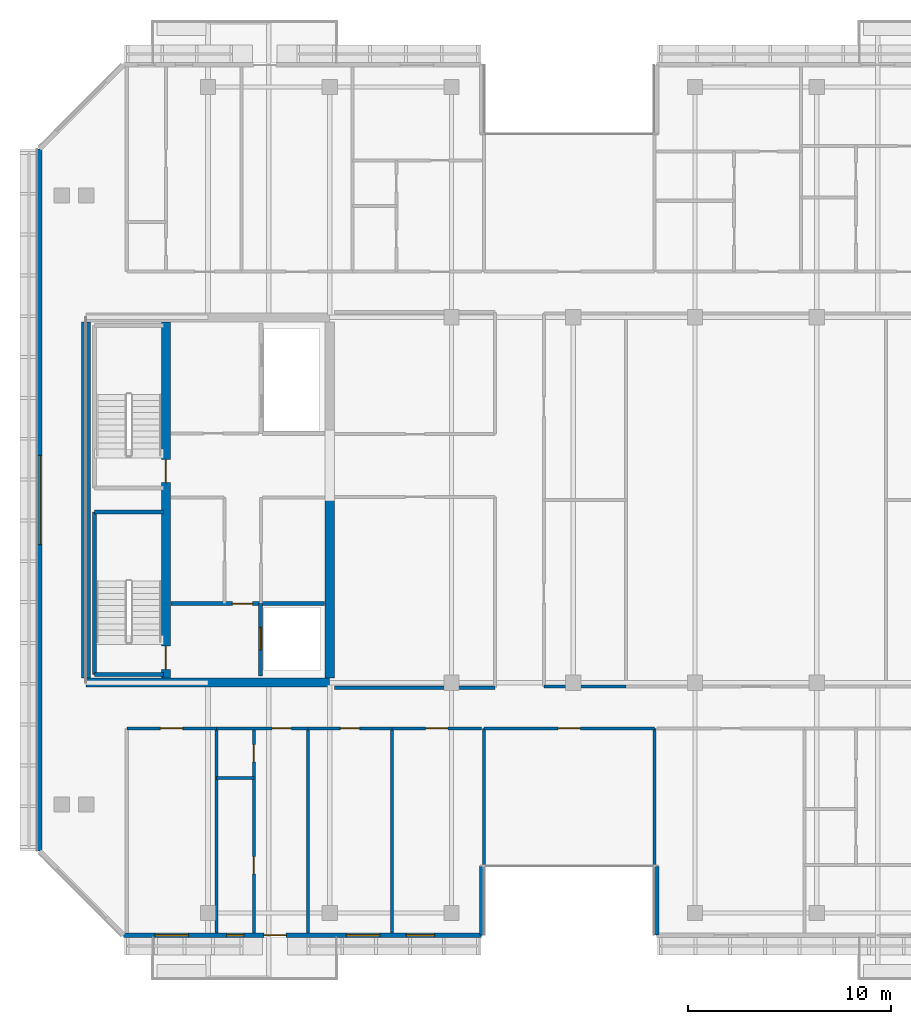
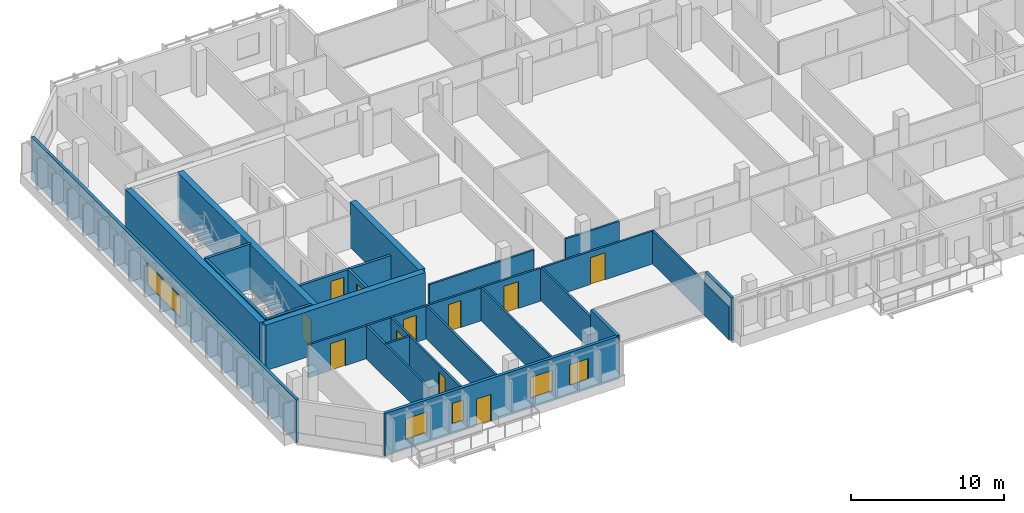
# One storey, part 6 of 17: 27 walls, 12 doors, 5 windows, 17 openings.
"""IFC4 building model written with IfcOpenShell, lengths in metres."""

from ifc_helpers import new_model, si_unit, direction, frame, frame_2d, origin, place, context, subcontext, project, spatial, rectangle, extrude, material, layer, layer_set, type_object, element, fill, save


model = new_model("IFC4")

# Units and contexts
model_context = context("Model", 3, precision=1e-05, world=origin(), true_north=direction((0.0, 1.0)))
body_context = subcontext(model_context, "Body", "Model", "MODEL_VIEW")
ifc_project = project(units=[si_unit("LENGTHUNIT", "METRE"), si_unit("AREAUNIT", "SQUARE_METRE"), si_unit("VOLUMEUNIT", "CUBIC_METRE"), si_unit("PLANEANGLEUNIT", "RADIAN"), si_unit("MASSUNIT", "GRAM", prefix="KILO")], contexts=[model_context])

# Site, building, storey
site_placement = place(None, origin())
site = spatial("IfcSite", under=ifc_project, at=site_placement, CompositionType="ELEMENT")
building_placement = place(site_placement, origin())
building = spatial("IfcBuilding", under=site, at=building_placement, Name="Tanjung Sevakor Pilgrim Tower", CompositionType="ELEMENT")
storey_placement = place(building_placement, frame((0.0, 0.0, 219.1201171875)))
storey = spatial("IfcBuildingStorey", under=building, at=storey_placement, Name="L61", CompositionType="ELEMENT", Elevation=219.1201171875)

# Walls
ifc_material_1 = material(Name="Concrete C60/75", Category="concrete")
ifc_layer_1 = layer(ifc_material_1, 0.449951171875)
ifc_layer_set_1 = layer_set([ifc_layer_1], Name="WALL-CW-450")
wall_type_1 = type_object("IfcWallType", Name="WALL-CW-450", PredefinedType="SHEAR", material=ifc_layer_set_1)
wall_1_placement = place(storey_placement, frame((24.0, 24.60009765625, 0.0), z_axis=(0.0, 0.0, 1.0), x_axis=(1.0, 0.0, 0.0)))
element("IfcWall", 1, at=wall_1_placement, inside=storey, type_object=wall_type_1, Name="L61 W Core South Shear Wall", PredefinedType="SHEAR", context=body_context, shape_type="SweptSolid", body=[
    extrude(rectangle(XDim=12.0, YDim=0.449951171875, at=frame_2d((6.0, 0.0))), origin(), (0.0, 0.0, 1.0), 3.6298828125),
])
wall_2_placement = place(storey_placement, frame((24.0, 24.824951171875, 0.0), z_axis=(0.0, 0.0, 1.0), x_axis=(0.0, 1.0, 0.0)))
element("IfcWall", 2, at=wall_2_placement, inside=storey, type_object=wall_type_1, Name="L61 W Core Outer Shear Wall", PredefinedType="SHEAR", context=body_context, shape_type="SweptSolid", body=[
    extrude(rectangle(XDim=17.550048828125, YDim=0.449951171875, at=frame_2d((8.77490234375, 0.0))), origin(), (0.0, 0.0, 1.0), 3.6298828125),
])
wall_3_placement = place(storey_placement, frame((36.0, 24.824951171875, 0.0), z_axis=(0.0, 0.0, 1.0), x_axis=(0.0, 1.0, 0.0)))
element("IfcWall", 3, at=wall_3_placement, inside=storey, type_object=wall_type_1, Name="L61 W Core Inner Shear Wall South", PredefinedType="SHEAR", context=body_context, shape_type="SweptSolid", body=[
    extrude(rectangle(XDim=8.97509765625, YDim=0.449951171875, at=frame_2d((4.487548828125, 0.0))), origin(), (0.0, 0.0, 1.0), 3.6298828125),
])

# Wall, openings, doors
wall_4_placement = place(storey_placement, frame((27.925048828125, 24.824951171875, 0.0), z_axis=(0.0, 0.0, 1.0), x_axis=(0.0, 1.0, 0.0)))
wall_4 = element("IfcWall", 4, at=wall_4_placement, inside=storey, type_object=wall_type_1, Name="L61 W Core Stair Spine Wall", PredefinedType="SHEAR", context=body_context, shape_type="SweptSolid", body=[
    extrude(rectangle(XDim=17.550048828125, YDim=0.449951171875, at=frame_2d((8.77490234375, 0.0))), origin(), (0.0, 0.0, 1.0), 3.6298828125),
])
opening_1_placement = place(wall_4_placement, frame((0.425048828125, 0.0, 0.0)))
opening_1 = element("IfcOpeningElement", 5, at=opening_1_placement, cuts=wall_4, Name="Opening ID-ST1", PredefinedType="OPENING", context=body_context, shape_type="SweptSolid", body=[
    extrude(rectangle(XDim=1.14990234375, YDim=2.14990234375, at=frame_2d((0.574951171875, 1.074951171875))), frame((0.0, 0.23486328125, 0.0), z_axis=(0.0, -1.0, 0.0), x_axis=(1.0, 0.0, 0.0)), (0.0, 0.0, 1.0), 0.469970703125),
])
opening_2_placement = place(wall_4_placement, frame((9.625, 0.0, 0.0)))
opening_2 = element("IfcOpeningElement", 6, at=opening_2_placement, cuts=wall_4, Name="Opening ID-ST1", PredefinedType="OPENING", context=body_context, shape_type="SweptSolid", body=[
    extrude(rectangle(XDim=1.14990234375, YDim=2.14990234375, at=frame_2d((0.574951171875, 1.074951171875))), frame((0.0, 0.23486328125, 0.0), z_axis=(0.0, -1.0, 0.0), x_axis=(1.0, 0.0, 0.0)), (0.0, 0.0, 1.0), 0.469970703125),
])
ifc_material_2 = material(Name="Fire-Rated Steel S355J2", Category="steel")
door_type_1 = type_object("IfcDoorType", Name="DT-FIRE-1150", OperationType="NOTDEFINED", PredefinedType="DOOR", material=ifc_material_2)
door_1_placement = place(opening_1_placement, origin())
door_1 = element("IfcDoor", 7, at=door_1_placement, inside=storey, type_object=door_type_1, Name="L61 TS-W1 Stair Fire Door", OperationType="SINGLE_SWING_RIGHT", OverallHeight=2.14990234375, OverallWidth=1.14990234375, PredefinedType="DOOR", context=body_context, shape_type="SweptSolid", body=[
    extrude(rectangle(XDim=1.14990234375, YDim=2.14990234375, at=frame_2d((0.574951171875, 1.074951171875))), frame((0.0, 0.02490234375, 0.0), z_axis=(0.0, -1.0, 0.0), x_axis=(1.0, 0.0, 0.0)), (0.0, 0.0, 1.0), 0.050048828125),
])
fill(opening_1, door_1)
door_2_placement = place(opening_2_placement, origin())
door_2 = element("IfcDoor", 8, at=door_2_placement, inside=storey, type_object=door_type_1, Name="L61 TS-W2 Stair Fire Door", OperationType="SINGLE_SWING_LEFT", OverallHeight=2.14990234375, OverallWidth=1.14990234375, PredefinedType="DOOR", context=body_context, shape_type="SweptSolid", body=[
    extrude(rectangle(XDim=1.14990234375, YDim=2.14990234375, at=frame_2d((0.574951171875, 1.074951171875))), frame((0.0, 0.02490234375, 0.0), z_axis=(0.0, -1.0, 0.0), x_axis=(1.0, 0.0, 0.0)), (0.0, 0.0, 1.0), 0.050048828125),
])
fill(opening_2, door_2)

# Walls
ifc_material_3 = material(Name="Concrete C40/50", Category="concrete")
ifc_layer_2 = layer(ifc_material_3, 0.14990234375)
ifc_layer_set_2 = layer_set([ifc_layer_2], Name="WT-COMP-150")
wall_type_2 = type_object("IfcWallType", Name="WT-COMP-150", PredefinedType="SOLIDWALL", material=ifc_layer_set_2)
wall_5_placement = place(storey_placement, frame((36.2451171875, 24.35009765625, 0.0), z_axis=(0.0, 0.0, 1.0), x_axis=(1.0, 0.0, 0.0)))
element("IfcWall", 9, at=wall_5_placement, inside=storey, type_object=wall_type_2, Name="L61 Partition IW-L61-019", PredefinedType="SOLIDWALL", context=body_context, shape_type="SweptSolid", body=[
    extrude(rectangle(XDim=7.90478515625, YDim=0.14990234375, at=frame_2d((3.952392578125, 0.0))), origin(), (0.0, 0.0, 1.0), 2.6298828125),
])
wall_6_placement = place(storey_placement, frame((46.550048828125, 24.39990234375, 0.0), z_axis=(0.0, 0.0, 1.0), x_axis=(1.0, 0.0, 0.0)))
element("IfcWall", 10, at=wall_6_placement, inside=storey, type_object=wall_type_2, Name="L61 Partition IW-L61-031", PredefinedType="SOLIDWALL", context=body_context, shape_type="SweptSolid", body=[
    extrude(rectangle(XDim=4.050048828125, YDim=0.14990234375, at=frame_2d((2.02490234375, 0.0))), origin(), (0.0, 0.0, 1.0), 2.6298828125),
])

# Wall, opening, door
wall_7_placement = place(storey_placement, frame((43.60009765625, 22.35009765625, 0.0), z_axis=(0.0, 0.0, 1.0), x_axis=(1.0, 0.0, 0.0)))
wall_7 = element("IfcWall", 11, at=wall_7_placement, inside=storey, type_object=wall_type_2, Name="L61 Partition IW-L61-045", PredefinedType="SOLIDWALL", context=body_context, shape_type="SweptSolid", body=[
    extrude(rectangle(XDim=8.39990234375, YDim=0.14990234375, at=frame_2d((4.199951171875, 0.0))), origin(), (0.0, 0.0, 1.0), 2.6298828125),
])
opening_3_placement = place(wall_7_placement, frame((3.64990234375, 0.0, 0.0)))
opening_3 = element("IfcOpeningElement", 12, at=opening_3_placement, cuts=wall_7, Name="Opening ID-RM2", PredefinedType="OPENING", context=body_context, shape_type="SweptSolid", body=[
    extrude(rectangle(XDim=1.10009765625, YDim=2.14990234375, at=frame_2d((0.550048828125, 1.074951171875))), frame((0.0, 0.0849609375, 0.0), z_axis=(0.0, -1.0, 0.0), x_axis=(1.0, 0.0, 0.0)), (0.0, 0.0, 1.0), 0.169921875),
])
ifc_material_4 = material(Name="Hardwood Timber", Category="wood")
door_type_2 = type_object("IfcDoorType", Name="DT-INT-1100", OperationType="NOTDEFINED", PredefinedType="DOOR", material=ifc_material_4)
door_3_placement = place(opening_3_placement, origin())
door_3 = element("IfcDoor", 13, at=door_3_placement, inside=storey, type_object=door_type_2, Name="L61 South Cleft Communal Lounge Door", OperationType="SINGLE_SWING_LEFT", OverallHeight=2.14990234375, OverallWidth=1.10009765625, PredefinedType="DOOR", context=body_context, shape_type="SweptSolid", body=[
    extrude(rectangle(XDim=1.10009765625, YDim=2.14990234375, at=frame_2d((0.550048828125, 1.074951171875))), frame((0.0, 0.02490234375, 0.0), z_axis=(0.0, -1.0, 0.0), x_axis=(1.0, 0.0, 0.0)), (0.0, 0.0, 1.0), 0.050048828125),
])
fill(opening_3, door_3)

# Walls
for number, where, z_axis, x_axis, name in (
    (14, (43.60009765625, 12.27001953125, 0.0), (0.0, 0.0, 1.0), (0.0, 1.0, 0.0), "L61 Partition IW-L61-046"),
    (15, (52.0, 12.27001953125, 0.0), (0.0, 0.0, 1.0), (0.0, 1.0, 0.0), "L61 Partition IW-L61-047"),
    (16, (30.41455078125, 12.27001953125, 0.0), (0.0, 0.0, 1.0), (0.0, 1.0, 0.0), "L61 Partition IW-L61-052"),
):
    element("IfcWall", number, at=place(storey_placement, frame(where, z_axis=z_axis, x_axis=x_axis)), inside=storey, type_object=wall_type_2, Name=name, PredefinedType="SOLIDWALL", context=body_context, shape_type="SweptSolid", body=[
        extrude(rectangle(XDim=10.080078125, YDim=0.14990234375, at=frame_2d((5.0400390625, 0.0))), origin(), (0.0, 0.0, 1.0), 2.6298828125),
    ])

# Wall, opening, door
wall_8_placement = place(storey_placement, frame((26.0, 22.35009765625, 0.0), z_axis=(0.0, 0.0, 1.0), x_axis=(1.0, 0.0, 0.0)))
wall_8 = element("IfcWall", 17, at=wall_8_placement, inside=storey, type_object=wall_type_2, Name="L61 Partition IW-L61-053", PredefinedType="SOLIDWALL", context=body_context, shape_type="SweptSolid", body=[
    extrude(rectangle(XDim=4.41455078125, YDim=0.14990234375, at=frame_2d((2.207275390625, 0.0))), origin(), (0.0, 0.0, 1.0), 2.6298828125),
])
opening_4_placement = place(wall_8_placement, frame((1.6572265625, 0.0, 0.0)))
opening_4 = element("IfcOpeningElement", 18, at=opening_4_placement, cuts=wall_8, Name="Opening ID-FD0", PredefinedType="OPENING", context=body_context, shape_type="SweptSolid", body=[
    extrude(rectangle(XDim=1.10009765625, YDim=2.14990234375, at=frame_2d((0.550048828125, 1.074951171875))), frame((0.0, 0.0849609375, 0.0), z_axis=(0.0, -1.0, 0.0), x_axis=(1.0, 0.0, 0.0)), (0.0, 0.0, 1.0), 0.169921875),
])
ifc_material_5 = material(Name="Fire-Rated Steel S355J2", Category="steel")
door_type_3 = type_object("IfcDoorType", Name="DT-FIRE-1100", OperationType="NOTDEFINED", PredefinedType="DOOR", material=ifc_material_5)
door_4_placement = place(opening_4_placement, origin())
door_4 = element("IfcDoor", 19, at=door_4_placement, inside=storey, type_object=door_type_3, Name="Communal Lounge Door", OperationType="SINGLE_SWING_LEFT", OverallHeight=2.14990234375, OverallWidth=1.10009765625, PredefinedType="DOOR", context=body_context, shape_type="SweptSolid", body=[
    extrude(rectangle(XDim=1.10009765625, YDim=2.14990234375, at=frame_2d((0.550048828125, 1.074951171875))), frame((0.0, 0.02490234375, 0.0), z_axis=(0.0, -1.0, 0.0), x_axis=(1.0, 0.0, 0.0)), (0.0, 0.0, 1.0), 0.050048828125),
])
fill(opening_4, door_4)

# Wall
wall_9_placement = place(storey_placement, frame((34.935791015625, 12.27001953125, 0.0), z_axis=(0.0, 0.0, 1.0), x_axis=(0.0, 1.0, 0.0)))
element("IfcWall", 20, at=wall_9_placement, inside=storey, type_object=wall_type_2, Name="L61 Partition IW-L61-054", PredefinedType="SOLIDWALL", context=body_context, shape_type="SweptSolid", body=[
    extrude(rectangle(XDim=10.080078125, YDim=0.14990234375, at=frame_2d((5.0400390625, 0.0))), origin(), (0.0, 0.0, 1.0), 2.6298828125),
])

# Wall, opening, door
wall_10_placement = place(storey_placement, frame((30.41455078125, 22.35009765625, 0.0), z_axis=(0.0, 0.0, 1.0), x_axis=(1.0, 0.0, 0.0)))
wall_10 = element("IfcWall", 21, at=wall_10_placement, inside=storey, type_object=wall_type_2, Name="L61 Partition IW-L61-057", PredefinedType="SOLIDWALL", context=body_context, shape_type="SweptSolid", body=[
    extrude(rectangle(XDim=4.521240234375, YDim=0.14990234375, at=frame_2d((2.2607421875, 0.0))), origin(), (0.0, 0.0, 1.0), 2.6298828125),
])
opening_5_placement = place(wall_10_placement, frame((2.75048828125, 0.0, 0.0)))
opening_5 = element("IfcOpeningElement", 22, at=opening_5_placement, cuts=wall_10, Name="Opening ID-FD2", PredefinedType="OPENING", context=body_context, shape_type="SweptSolid", body=[
    extrude(rectangle(XDim=0.949951171875, YDim=2.14990234375, at=frame_2d((0.47509765625, 1.074951171875))), frame((0.0, 0.0849609375, 0.0), z_axis=(0.0, -1.0, 0.0), x_axis=(1.0, 0.0, 0.0)), (0.0, 0.0, 1.0), 0.169921875),
])
ifc_material_6 = material(Name="Fire-Rated Timber", Category="wood")
door_type_4 = type_object("IfcDoorType", Name="DT-FIRE-950", OperationType="NOTDEFINED", PredefinedType="DOOR", material=ifc_material_6)
door_5_placement = place(opening_5_placement, origin())
door_5 = element("IfcDoor", 23, at=door_5_placement, inside=storey, type_object=door_type_4, Name="Hotel Guestroom Entrance", OperationType="SINGLE_SWING_RIGHT", OverallHeight=2.14990234375, OverallWidth=0.949951171875, PredefinedType="DOOR", context=body_context, shape_type="SweptSolid", body=[
    extrude(rectangle(XDim=0.949951171875, YDim=2.14990234375, at=frame_2d((0.47509765625, 1.074951171875))), frame((0.0, 0.02490234375, 0.0), z_axis=(0.0, -1.0, 0.0), x_axis=(1.0, 0.0, 0.0)), (0.0, 0.0, 1.0), 0.050048828125),
])
fill(opening_5, door_5)

# Wall
wall_11_placement = place(storey_placement, frame((39.0654296875, 12.27001953125, 0.0), z_axis=(0.0, 0.0, 1.0), x_axis=(0.0, 1.0, 0.0)))
element("IfcWall", 24, at=wall_11_placement, inside=storey, type_object=wall_type_2, Name="L61 Partition IW-L61-058", PredefinedType="SOLIDWALL", context=body_context, shape_type="SweptSolid", body=[
    extrude(rectangle(XDim=10.080078125, YDim=0.14990234375, at=frame_2d((5.0400390625, 0.0))), origin(), (0.0, 0.0, 1.0), 2.6298828125),
])

# Wall, opening, door
wall_12_placement = place(storey_placement, frame((34.935791015625, 22.35009765625, 0.0), z_axis=(0.0, 0.0, 1.0), x_axis=(1.0, 0.0, 0.0)))
wall_12 = element("IfcWall", 25, at=wall_12_placement, inside=storey, type_object=wall_type_2, Name="L61 Partition IW-L61-059", PredefinedType="SOLIDWALL", context=body_context, shape_type="SweptSolid", body=[
    extrude(rectangle(XDim=4.129638671875, YDim=0.14990234375, at=frame_2d((2.06494140625, 0.0))), origin(), (0.0, 0.0, 1.0), 2.6298828125),
])
opening_6_placement = place(wall_12_placement, frame((1.58984375, 0.0, 0.0)))
opening_6 = element("IfcOpeningElement", 26, at=opening_6_placement, cuts=wall_12, Name="Opening ID-FD2", PredefinedType="OPENING", context=body_context, shape_type="SweptSolid", body=[
    extrude(rectangle(XDim=0.949951171875, YDim=2.14990234375, at=frame_2d((0.47509765625, 1.074951171875))), frame((0.0, 0.0849609375, 0.0), z_axis=(0.0, -1.0, 0.0), x_axis=(1.0, 0.0, 0.0)), (0.0, 0.0, 1.0), 0.169921875),
])
door_6_placement = place(opening_6_placement, origin())
door_6 = element("IfcDoor", 27, at=door_6_placement, inside=storey, type_object=door_type_4, Name="Study Room Entrance", OperationType="SINGLE_SWING_LEFT", OverallHeight=2.14990234375, OverallWidth=0.949951171875, PredefinedType="DOOR", context=body_context, shape_type="SweptSolid", body=[
    extrude(rectangle(XDim=0.949951171875, YDim=2.14990234375, at=frame_2d((0.47509765625, 1.074951171875))), frame((0.0, 0.02490234375, 0.0), z_axis=(0.0, -1.0, 0.0), x_axis=(1.0, 0.0, 0.0)), (0.0, 0.0, 1.0), 0.050048828125),
])
fill(opening_6, door_6)

wall_13_placement = place(storey_placement, frame((39.0654296875, 22.35009765625, 0.0), z_axis=(0.0, 0.0, 1.0), x_axis=(1.0, 0.0, 0.0)))
wall_13 = element("IfcWall", 28, at=wall_13_placement, inside=storey, type_object=wall_type_2, Name="L61 Partition IW-L61-060", PredefinedType="SOLIDWALL", context=body_context, shape_type="SweptSolid", body=[
    extrude(rectangle(XDim=4.41455078125, YDim=0.14990234375, at=frame_2d((2.207275390625, 0.0))), origin(), (0.0, 0.0, 1.0), 2.6298828125),
])
opening_7_placement = place(wall_13_placement, frame((1.6572265625, 0.0, 0.0)))
opening_7 = element("IfcOpeningElement", 29, at=opening_7_placement, cuts=wall_13, Name="Opening ID-FD0", PredefinedType="OPENING", context=body_context, shape_type="SweptSolid", body=[
    extrude(rectangle(XDim=1.10009765625, YDim=2.14990234375, at=frame_2d((0.550048828125, 1.074951171875))), frame((0.0, 0.0849609375, 0.0), z_axis=(0.0, -1.0, 0.0), x_axis=(1.0, 0.0, 0.0)), (0.0, 0.0, 1.0), 0.169921875),
])
door_7_placement = place(opening_7_placement, origin())
door_7 = element("IfcDoor", 30, at=door_7_placement, inside=storey, type_object=door_type_3, Name="Communal Lounge Door", OperationType="SINGLE_SWING_RIGHT", OverallHeight=2.14990234375, OverallWidth=1.10009765625, PredefinedType="DOOR", context=body_context, shape_type="SweptSolid", body=[
    extrude(rectangle(XDim=1.10009765625, YDim=2.14990234375, at=frame_2d((0.550048828125, 1.074951171875))), frame((0.0, 0.02490234375, 0.0), z_axis=(0.0, -1.0, 0.0), x_axis=(1.0, 0.0, 0.0)), (0.0, 0.0, 1.0), 0.050048828125),
])
fill(opening_7, door_7)

# Wall, openings, door, windows
ifc_material_7 = material(Name="Precast concrete C45/55", Category="concrete")
ifc_layer_3 = layer(ifc_material_7, 0.219970703125)
ifc_layer_set_3 = layer_set([ifc_layer_3], Name="WT-EW-STN4")
wall_type_3 = type_object("IfcWallType", Name="WT-EW-STN4", PredefinedType="SOLIDWALL", material=ifc_layer_set_3)
wall_14_placement = place(storey_placement, frame((25.845703125, 12.159912109375, 0.0), z_axis=(0.0, 0.0, 1.0), x_axis=(1.0, 0.0, 0.0)))
wall_14 = element("IfcWall", 31, at=wall_14_placement, inside=storey, type_object=wall_type_3, Name="L61 MAIN Exterior Wall 1", PredefinedType="SOLIDWALL", context=body_context, shape_type="SweptSolid", body=[
    extrude(rectangle(XDim=17.644287109375, YDim=0.219970703125, at=frame_2d((8.822265625, 0.0))), origin(), (0.0, 0.0, 1.0), 3.409912109375),
])
opening_8_placement = place(wall_14_placement, frame((6.904296875, 0.0, 0.0)))
opening_8 = element("IfcOpeningElement", 32, at=opening_8_placement, cuts=wall_14, Name="Opening ED-BAL-1100", PredefinedType="OPENING", context=body_context, shape_type="SweptSolid", body=[
    extrude(rectangle(XDim=1.10009765625, YDim=2.14990234375, at=frame_2d((0.550048828125, 1.074951171875))), frame((0.0, 0.119873046875, 0.0), z_axis=(0.0, -1.0, 0.0), x_axis=(1.0, 0.0, 0.0)), (0.0, 0.0, 1.0), 0.239990234375),
])
opening_9_placement = place(wall_14_placement, frame((1.53662109375, 0.0, 0.780029296875)))
opening_9 = element("IfcOpeningElement", 33, at=opening_9_placement, cuts=wall_14, Name="Opening WN-Z4-1660", PredefinedType="OPENING", context=body_context, shape_type="SweptSolid", body=[
    extrude(rectangle(XDim=1.64990234375, YDim=1.659912109375, at=frame_2d((0.824951171875, 0.830078125))), frame((0.0, 0.119873046875, 0.0), z_axis=(0.0, -1.0, 0.0), x_axis=(1.0, 0.0, 0.0)), (0.0, 0.0, 1.0), 0.239990234375),
])
opening_10_placement = place(wall_14_placement, frame((5.078857421875, 0.0, 0.780029296875)))
opening_10 = element("IfcOpeningElement", 34, at=opening_10_placement, cuts=wall_14, Name="Opening WN-SLM", PredefinedType="OPENING", context=body_context, shape_type="SweptSolid", body=[
    extrude(rectangle(XDim=0.85009765625, YDim=1.64990234375, at=frame_2d((0.425048828125, 0.824951171875))), frame((0.0, 0.119873046875, 0.0), z_axis=(0.0, -1.0, 0.0), x_axis=(1.0, 0.0, 0.0)), (0.0, 0.0, 1.0), 0.239990234375),
])
opening_11_placement = place(wall_14_placement, frame((10.97021484375, 0.0, 0.780029296875)))
opening_11 = element("IfcOpeningElement", 35, at=opening_11_placement, cuts=wall_14, Name="Opening WN-Z4-1660", PredefinedType="OPENING", context=body_context, shape_type="SweptSolid", body=[
    extrude(rectangle(XDim=1.64990234375, YDim=1.659912109375, at=frame_2d((0.824951171875, 0.830078125))), frame((0.0, 0.119873046875, 0.0), z_axis=(0.0, -1.0, 0.0), x_axis=(1.0, 0.0, 0.0)), (0.0, 0.0, 1.0), 0.239990234375),
])
opening_12_placement = place(wall_14_placement, frame((13.927001953125, 0.0, 0.780029296875)))
opening_12 = element("IfcOpeningElement", 36, at=opening_12_placement, cuts=wall_14, Name="Opening WN-END", PredefinedType="OPENING", context=body_context, shape_type="SweptSolid", body=[
    extrude(rectangle(XDim=1.39990234375, YDim=1.64990234375, at=frame_2d((0.699951171875, 0.824951171875))), frame((0.0, 0.119873046875, 0.0), z_axis=(0.0, -1.0, 0.0), x_axis=(1.0, 0.0, 0.0)), (0.0, 0.0, 1.0), 0.239990234375),
])
ifc_material_8 = material(Name="Anodised Aluminium and Laminated Glass", Category="aluminium")
door_type_5 = type_object("IfcDoorType", Name="DTYP-ED-BAL-1100", OperationType="NOTDEFINED", PredefinedType="DOOR", material=ifc_material_8)
door_8_placement = place(opening_8_placement, frame((1.10009765625, 0.0, 0.0), z_axis=(0.0, 0.0, 1.0), x_axis=(-1.0, 0.0, 0.0)))
door_8 = element("IfcDoor", 37, at=door_8_placement, inside=storey, type_object=door_type_5, Name="L61 Balcony Door MAIN-S1", OperationType="SINGLE_SWING_LEFT", OverallHeight=2.14990234375, OverallWidth=1.10009765625, PredefinedType="DOOR", context=body_context, shape_type="SweptSolid", body=[
    extrude(rectangle(XDim=1.10009765625, YDim=2.14990234375, at=frame_2d((0.550048828125, 1.074951171875))), frame((0.0, 0.02490234375, 0.0), z_axis=(0.0, -1.0, 0.0), x_axis=(1.0, 0.0, 0.0)), (0.0, 0.0, 1.0), 0.050048828125),
])
fill(opening_8, door_8)
ifc_material_9 = material(Name="Thermally Broken Aluminium and Low-E Glass", Category="aluminium")
window_type_1 = type_object("IfcWindowType", Name="WTYP-WN-END", PartitioningType="SINGLE_PANEL", PredefinedType="WINDOW", material=ifc_material_9)
window_1_placement = place(opening_12_placement, origin())
window_1 = element("IfcWindow", 38, at=window_1_placement, inside=storey, type_object=window_type_1, Name="L61 Facade Window 04", OverallHeight=1.64990234375, OverallWidth=1.39990234375, PartitioningType="SINGLE_PANEL", PredefinedType="WINDOW", context=body_context, shape_type="SweptSolid", body=[
    extrude(rectangle(XDim=1.39990234375, YDim=1.64990234375, at=frame_2d((0.699951171875, 0.824951171875))), frame((0.0, 0.030029296875, 0.0), z_axis=(0.0, -1.0, 0.0), x_axis=(1.0, 0.0, 0.0)), (0.0, 0.0, 1.0), 0.06005859375),
])
fill(opening_12, window_1)
ifc_material_10 = material(Name="Thermally Broken Aluminium and Low-E Glass", Category="aluminium")
window_type_2 = type_object("IfcWindowType", Name="WTYP-WN-SLM", PartitioningType="SINGLE_PANEL", PredefinedType="WINDOW", material=ifc_material_10)
window_2_placement = place(opening_10_placement, origin())
window_2 = element("IfcWindow", 39, at=window_2_placement, inside=storey, type_object=window_type_2, Name="L61 Facade Window 02", OverallHeight=1.64990234375, OverallWidth=0.85009765625, PartitioningType="SINGLE_PANEL", PredefinedType="WINDOW", context=body_context, shape_type="SweptSolid", body=[
    extrude(rectangle(XDim=0.85009765625, YDim=1.64990234375, at=frame_2d((0.425048828125, 0.824951171875))), frame((0.0, 0.030029296875, 0.0), z_axis=(0.0, -1.0, 0.0), x_axis=(1.0, 0.0, 0.0)), (0.0, 0.0, 1.0), 0.06005859375),
])
fill(opening_10, window_2)
ifc_material_11 = material(Name="Thermally Broken Aluminium and Low-E Glass", Category="aluminium")
window_type_3 = type_object("IfcWindowType", Name="WTYP-WN-Z4-1660", PartitioningType="DOUBLE_PANEL_VERTICAL", PredefinedType="WINDOW", material=ifc_material_11)
window_3_placement = place(opening_9_placement, origin())
window_3 = element("IfcWindow", 40, at=window_3_placement, inside=storey, type_object=window_type_3, Name="L61 Facade Window 01", OverallHeight=1.659912109375, OverallWidth=1.64990234375, PartitioningType="SINGLE_PANEL", PredefinedType="WINDOW", context=body_context, shape_type="SweptSolid", body=[
    extrude(rectangle(XDim=1.64990234375, YDim=1.659912109375, at=frame_2d((0.824951171875, 0.830078125))), frame((0.0, 0.030029296875, 0.0), z_axis=(0.0, -1.0, 0.0), x_axis=(1.0, 0.0, 0.0)), (0.0, 0.0, 1.0), 0.06005859375),
])
fill(opening_9, window_3)
window_4_placement = place(opening_11_placement, origin())
window_4 = element("IfcWindow", 41, at=window_4_placement, inside=storey, type_object=window_type_3, Name="L61 Facade Window 03", OverallHeight=1.659912109375, OverallWidth=1.64990234375, PartitioningType="SINGLE_PANEL", PredefinedType="WINDOW", context=body_context, shape_type="SweptSolid", body=[
    extrude(rectangle(XDim=1.64990234375, YDim=1.659912109375, at=frame_2d((0.824951171875, 0.830078125))), frame((0.0, 0.030029296875, 0.0), z_axis=(0.0, -1.0, 0.0), x_axis=(1.0, 0.0, 0.0)), (0.0, 0.0, 1.0), 0.06005859375),
])
fill(opening_11, window_4)

# Walls
for number, where, z_axis, x_axis, name in (
    (42, (43.489990234375, 12.159912109375, 0.0), (0.0, 0.0, 1.0), (0.0, 1.0, 0.0), "L61 MAIN Exterior Wall 2"),
    (43, (52.110107421875, 15.56005859375, 0.0), (0.0, 0.0, 1.0), (0.0, -1.0, 0.0), "L61 MAIN Exterior Wall 4"),
):
    element("IfcWall", number, at=place(storey_placement, frame(where, z_axis=z_axis, x_axis=x_axis)), inside=storey, type_object=wall_type_3, Name=name, PredefinedType="SOLIDWALL", context=body_context, shape_type="SweptSolid", body=[
        extrude(rectangle(XDim=3.400146484375, YDim=0.219970703125, at=frame_2d((1.7001953125, 0.0))), origin(), (0.0, 0.0, 1.0), 3.409912109375),
    ])

# Wall, opening, window
wall_15_placement = place(storey_placement, frame((21.7099609375, 50.904296875, 0.0), z_axis=(0.0, 0.0, 1.0), x_axis=(0.0, -1.0, 0.0)))
wall_15 = element("IfcWall", 44, at=wall_15_placement, inside=storey, type_object=wall_type_3, Name="L61 MAIN Exterior Wall 15", PredefinedType="SOLIDWALL", context=body_context, shape_type="SweptSolid", body=[
    extrude(rectangle(XDim=34.608642578125, YDim=0.219970703125, at=frame_2d((17.30419921875, 0.0))), origin(), (0.0, 0.0, 1.0), 3.409912109375),
])
opening_13_placement = place(wall_15_placement, frame((15.1044921875, 0.0, 0.780029296875)))
opening_13 = element("IfcOpeningElement", 45, at=opening_13_placement, cuts=wall_15, Name="Opening WN-ENDW-1660", PredefinedType="OPENING", context=body_context, shape_type="SweptSolid", body=[
    extrude(rectangle(XDim=4.39990234375, YDim=1.659912109375, at=frame_2d((2.199951171875, 0.830078125))), frame((0.0, 0.119873046875, 0.0), z_axis=(0.0, -1.0, 0.0), x_axis=(1.0, 0.0, 0.0)), (0.0, 0.0, 1.0), 0.239990234375),
])
ifc_material_12 = material(Name="Thermally Broken Aluminium and Low-E Glass", Category="aluminium")
window_type_4 = type_object("IfcWindowType", Name="WTYP-WN-ENDW-1660", PartitioningType="DOUBLE_PANEL_VERTICAL", PredefinedType="WINDOW", material=ifc_material_12)
window_5_placement = place(opening_13_placement, origin())
window_5 = element("IfcWindow", 46, at=window_5_placement, inside=storey, type_object=window_type_4, Name="L61 Facade Window 01", OverallHeight=1.659912109375, OverallWidth=4.39990234375, PartitioningType="SINGLE_PANEL", PredefinedType="WINDOW", context=body_context, shape_type="SweptSolid", body=[
    extrude(rectangle(XDim=4.39990234375, YDim=1.659912109375, at=frame_2d((2.199951171875, 0.830078125))), frame((0.0, 0.030029296875, 0.0), z_axis=(0.0, -1.0, 0.0), x_axis=(1.0, 0.0, 0.0)), (0.0, 0.0, 1.0), 0.06005859375),
])
fill(opening_13, window_5)

# Walls
ifc_material_13 = material(Name="Concrete C40/50", Category="concrete")
ifc_layer_4 = layer(ifc_material_13, 0.199951171875)
ifc_layer_set_4 = layer_set([ifc_layer_4], Name="WT-FIRE-200")
wall_type_4 = type_object("IfcWallType", Name="WT-FIRE-200", PredefinedType="SOLIDWALL", material=ifc_layer_set_4)
for number, where, z_axis, x_axis, name in (
    (47, (24.39990234375, 25.0, 0.0), (0.0, 0.0, 1.0), (1.0, 0.0, 0.0), "L61 TS-W1 Shaft Wall 1"),
    (48, (27.800048828125, 33.0, 0.0), (0.0, 0.0, 1.0), (-1.0, 0.0, 0.0), "L61 TS-W1 Shaft Wall 2"),
):
    element("IfcWall", number, at=place(storey_placement, frame(where, z_axis=z_axis, x_axis=x_axis)), inside=storey, type_object=wall_type_4, Name=name, PredefinedType="SOLIDWALL", context=body_context, shape_type="SweptSolid", body=[
        extrude(rectangle(XDim=3.400146484375, YDim=0.199951171875, at=frame_2d((1.7001953125, 0.0))), origin(), (0.0, 0.0, 1.0), 3.6298828125),
    ])
wall_16_placement = place(storey_placement, frame((24.39990234375, 33.0, 0.0), z_axis=(0.0, 0.0, 1.0), x_axis=(0.0, -1.0, 0.0)))
element("IfcWall", 49, at=wall_16_placement, inside=storey, type_object=wall_type_4, Name="L61 TS-W1 Shaft Wall 3", PredefinedType="SOLIDWALL", context=body_context, shape_type="SweptSolid", body=[
    extrude(rectangle(XDim=8.0, YDim=0.199951171875, at=frame_2d((4.0, 0.0))), origin(), (0.0, 0.0, 1.0), 3.6298828125),
])

# Wall, opening, door
ifc_material_14 = material(Name="Concrete C40/50", Category="concrete")
ifc_layer_5 = layer(ifc_material_14, 0.199951171875)
ifc_layer_set_5 = layer_set([ifc_layer_5], Name="WT-FPRT-200")
wall_type_5 = type_object("IfcWallType", Name="WT-FPRT-200", PredefinedType="SOLIDWALL", material=ifc_layer_set_5)
wall_17_placement = place(storey_placement, frame((32.60009765625, 24.919921875, 0.0), z_axis=(0.0, 0.0, 1.0), x_axis=(0.0, 1.0, 0.0)))
wall_17 = element("IfcWall", 50, at=wall_17_placement, inside=storey, type_object=wall_type_5, Name="L61 Partition IW-L61-001", PredefinedType="SOLIDWALL", context=body_context, shape_type="SweptSolid", body=[
    extrude(rectangle(XDim=3.580078125, YDim=0.199951171875, at=frame_2d((1.7900390625, 0.0))), origin(), (0.0, 0.0, 1.0), 2.6298828125),
])
opening_14_placement = place(wall_17_placement, frame((1.300048828125, 0.0, 0.0)))
opening_14 = element("IfcOpeningElement", 51, at=opening_14_placement, cuts=wall_17, Name="Opening LD-1100", PredefinedType="OPENING", context=body_context, shape_type="SweptSolid", body=[
    extrude(rectangle(XDim=1.10009765625, YDim=2.199951171875, at=frame_2d((0.550048828125, 1.10009765625))), frame((0.0, 0.10986328125, 0.0), z_axis=(0.0, -1.0, 0.0), x_axis=(1.0, 0.0, 0.0)), (0.0, 0.0, 1.0), 0.219970703125),
])
ifc_material_15 = material(Name="Brushed Stainless Steel S355J2", Category="steel")
door_type_6 = type_object("IfcDoorType", Name="DT-LIFT-1100", OperationType="SLIDING_TO_LEFT", PredefinedType="DOOR", material=ifc_material_15)
door_9_placement = place(opening_14_placement, origin())
door_9 = element("IfcDoor", 52, at=door_9_placement, inside=storey, type_object=door_type_6, Name="LD-FL-W", OperationType="SLIDING_TO_LEFT", OverallHeight=2.199951171875, OverallWidth=1.10009765625, PredefinedType="DOOR", context=body_context, shape_type="SweptSolid", body=[
    extrude(rectangle(XDim=1.10009765625, YDim=2.199951171875, at=frame_2d((0.550048828125, 1.10009765625))), frame((0.0, 0.02490234375, 0.0), z_axis=(0.0, -1.0, 0.0), x_axis=(1.0, 0.0, 0.0)), (0.0, 0.0, 1.0), 0.050048828125),
])
fill(opening_14, door_9)

wall_18_placement = place(storey_placement, frame((28.169921875, 28.5, 0.0), z_axis=(0.0, 0.0, 1.0), x_axis=(1.0, 0.0, 0.0)))
wall_18 = element("IfcWall", 53, at=wall_18_placement, inside=storey, type_object=wall_type_5, Name="L61 Partition IW-L61-002", PredefinedType="SOLIDWALL", context=body_context, shape_type="SweptSolid", body=[
    extrude(rectangle(XDim=7.5849609375, YDim=0.199951171875, at=frame_2d((3.79248046875, 0.0))), origin(), (0.0, 0.0, 1.0), 2.6298828125),
])
opening_15_placement = place(wall_18_placement, frame((3.030029296875, 0.0, 0.0)))
opening_15 = element("IfcOpeningElement", 54, at=opening_15_placement, cuts=wall_18, Name="Opening ID-FD1", PredefinedType="OPENING", context=body_context, shape_type="SweptSolid", body=[
    extrude(rectangle(XDim=1.0, YDim=2.14990234375, at=frame_2d((0.5, 1.074951171875))), frame((0.0, 0.10986328125, 0.0), z_axis=(0.0, -1.0, 0.0), x_axis=(1.0, 0.0, 0.0)), (0.0, 0.0, 1.0), 0.219970703125),
])
ifc_material_16 = material(Name="Fire-Rated Steel S355J2", Category="steel")
door_type_7 = type_object("IfcDoorType", Name="DT-FIRE-1000", OperationType="NOTDEFINED", PredefinedType="DOOR", material=ifc_material_16)
door_10_placement = place(opening_15_placement, origin())
door_10 = element("IfcDoor", 55, at=door_10_placement, inside=storey, type_object=door_type_7, Name="Fire Lobby Door W", OperationType="SINGLE_SWING_LEFT", OverallHeight=2.14990234375, OverallWidth=1.0, PredefinedType="DOOR", context=body_context, shape_type="SweptSolid", body=[
    extrude(rectangle(XDim=1.0, YDim=2.14990234375, at=frame_2d((0.5, 1.074951171875))), frame((0.0, 0.02490234375, 0.0), z_axis=(0.0, -1.0, 0.0), x_axis=(1.0, 0.0, 0.0)), (0.0, 0.0, 1.0), 0.050048828125),
])
fill(opening_15, door_10)

# Wall
ifc_material_17 = material(Name="Gypsum Board Partition", Category="gypsum board")
ifc_layer_6 = layer(ifc_material_17, 0.14990234375)
ifc_layer_set_6 = layer_set([ifc_layer_6], Name="WT-PART-150")
wall_type_6 = type_object("IfcWallType", Name="WT-PART-150", PredefinedType="PARTITIONING", material=ifc_layer_set_6)
wall_19_placement = place(storey_placement, frame((30.41455078125, 19.89990234375, 0.0), z_axis=(0.0, 0.0, 1.0), x_axis=(1.0, 0.0, 0.0)))
element("IfcWall", 56, at=wall_19_placement, inside=storey, type_object=wall_type_6, Name="L61 Partition IW-L61-055", PredefinedType="PARTITIONING", context=body_context, shape_type="SweptSolid", body=[
    extrude(rectangle(XDim=1.849853515625, YDim=0.14990234375, at=frame_2d((0.9248046875, 0.0))), origin(), (0.0, 0.0, 1.0), 2.6298828125),
])

# Wall, openings, doors
wall_20_placement = place(storey_placement, frame((32.264404296875, 12.27001953125, 0.0), z_axis=(0.0, 0.0, 1.0), x_axis=(0.0, 1.0, 0.0)))
wall_20 = element("IfcWall", 57, at=wall_20_placement, inside=storey, type_object=wall_type_6, Name="L61 Partition IW-L61-056", PredefinedType="PARTITIONING", context=body_context, shape_type="SweptSolid", body=[
    extrude(rectangle(XDim=10.080078125, YDim=0.14990234375, at=frame_2d((5.0400390625, 0.0))), origin(), (0.0, 0.0, 1.0), 2.6298828125),
])
opening_16_placement = place(wall_20_placement, frame((2.912109375, 0.0, 0.0)))
opening_16 = element("IfcOpeningElement", 58, at=opening_16_placement, cuts=wall_20, Name="Opening ID-WC1", PredefinedType="OPENING", context=body_context, shape_type="SweptSolid", body=[
    extrude(rectangle(XDim=0.85009765625, YDim=2.10009765625, at=frame_2d((0.425048828125, 1.050048828125))), frame((0.0, 0.0849609375, 0.0), z_axis=(0.0, -1.0, 0.0), x_axis=(1.0, 0.0, 0.0)), (0.0, 0.0, 1.0), 0.169921875),
])
opening_17_placement = place(wall_20_placement, frame((8.429931640625, 0.0, 0.0)))
opening_17 = element("IfcOpeningElement", 59, at=opening_17_placement, cuts=wall_20, Name="Opening ID-WC1", PredefinedType="OPENING", context=body_context, shape_type="SweptSolid", body=[
    extrude(rectangle(XDim=0.85009765625, YDim=2.10009765625, at=frame_2d((0.425048828125, 1.050048828125))), frame((0.0, 0.0849609375, 0.0), z_axis=(0.0, -1.0, 0.0), x_axis=(1.0, 0.0, 0.0)), (0.0, 0.0, 1.0), 0.169921875),
])
ifc_material_18 = material(Name="Moisture-Resistant Timber", Category="wood")
door_type_8 = type_object("IfcDoorType", Name="DT-INT-850", OperationType="NOTDEFINED", PredefinedType="DOOR", material=ifc_material_18)
door_11_placement = place(opening_16_placement, origin())
door_11 = element("IfcDoor", 60, at=door_11_placement, inside=storey, type_object=door_type_8, Name="Study Nook Door", OperationType="SINGLE_SWING_RIGHT", OverallHeight=2.10009765625, OverallWidth=0.85009765625, PredefinedType="DOOR", context=body_context, shape_type="SweptSolid", body=[
    extrude(rectangle(XDim=0.85009765625, YDim=2.10009765625, at=frame_2d((0.425048828125, 1.050048828125))), frame((0.0, 0.02490234375, 0.0), z_axis=(0.0, -1.0, 0.0), x_axis=(1.0, 0.0, 0.0)), (0.0, 0.0, 1.0), 0.050048828125),
])
fill(opening_16, door_11)
door_12_placement = place(opening_17_placement, origin())
door_12 = element("IfcDoor", 61, at=door_12_placement, inside=storey, type_object=door_type_8, Name="Bathroom Door", OperationType="SINGLE_SWING_LEFT", OverallHeight=2.10009765625, OverallWidth=0.85009765625, PredefinedType="DOOR", context=body_context, shape_type="SweptSolid", body=[
    extrude(rectangle(XDim=0.85009765625, YDim=2.10009765625, at=frame_2d((0.425048828125, 1.050048828125))), frame((0.0, 0.02490234375, 0.0), z_axis=(0.0, -1.0, 0.0), x_axis=(1.0, 0.0, 0.0)), (0.0, 0.0, 1.0), 0.050048828125),
])
fill(opening_17, door_12)

save(model, "model.ifc")
